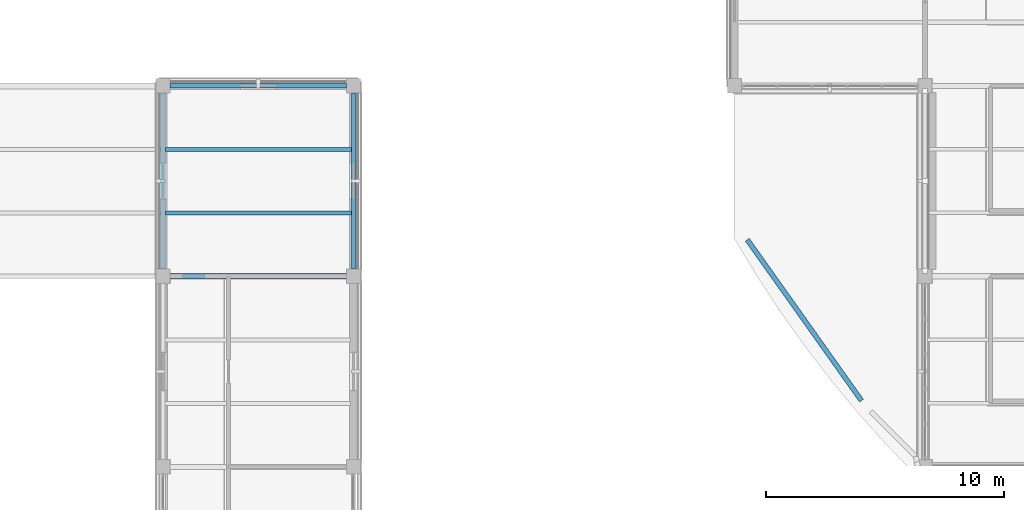
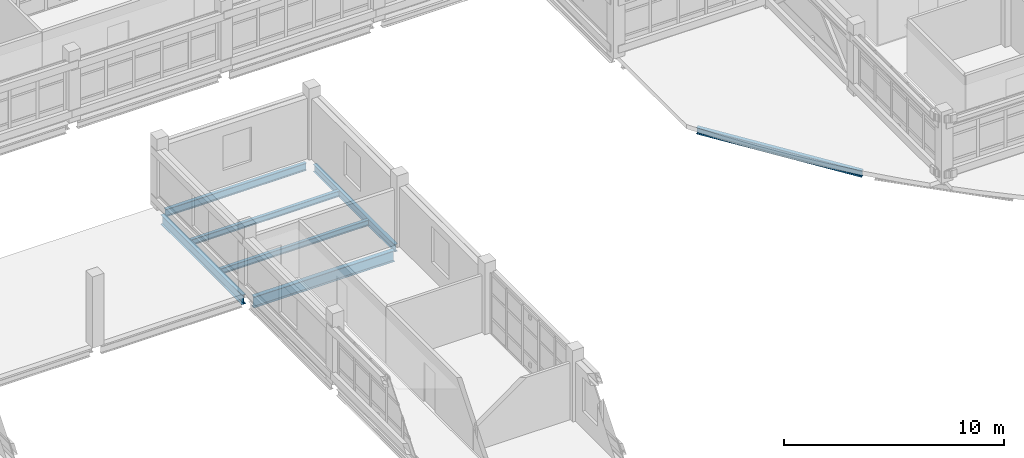
# One storey, part 17 of 126: 7 beams.
"""IFC4 building model written with IfcOpenShell, lengths in metres."""

import ifcopenshell
import ifcopenshell.guid

model = None  # the IFC model being written
_history = None  # IfcOwnerHistory: only IFC2X3 demands one
_inside = {}  # id of a spatial element -> (the spatial element, [elements in it])
_under = {}  # id of a project, library or spatial element -> (it, [spatial elements below it])
_declared = {}  # id of a project -> (the project, [libraries it declares])
_typed = {}  # id of a type object -> (the type object, [elements of that type])
_made_of = {}  # id of a material, layer set ... -> (it, [elements and type objects made of it])


def new_model(schema):
    """Start an empty IFC model of exactly this schema.

    Asked for "IFC4X3", IfcOpenShell would pick the latest addendum, in which some entities
    have other attributes; the version numbers below select the first issue.
    IFC2X3 requires an IfcOwnerHistory on every rooted entity: one is made here for all.
    """
    global model, _history
    if schema == "IFC4X3":
        model = ifcopenshell.file(schema_version=(4, 3, 0, 0))
    else:
        model = ifcopenshell.file(schema=schema)
    _inside.clear()
    _under.clear()
    _declared.clear()
    _typed.clear()
    _made_of.clear()
    _history = None
    if model.schema == "IFC2X3":
        org = make("IfcOrganization", Name="unknown")
        user = make(
            "IfcPersonAndOrganization",
            ThePerson=make("IfcPerson", FamilyName="unknown"),
            TheOrganization=org,
        )
        app = make(
            "IfcApplication",
            ApplicationDeveloper=org,
            Version="unknown",
            ApplicationFullName="unknown",
            ApplicationIdentifier="unknown",
        )
        _history = make(
            "IfcOwnerHistory",
            OwningUser=user,
            OwningApplication=app,
            ChangeAction="ADDED",
            CreationDate=0,
        )
    return model


def make(cls, **values):
    """One entity of the class cls with the attributes given. An attribute that is None is left unset."""
    return model.create_entity(
        cls, **{name: value for name, value in values.items() if value is not None}
    )


def rooted(cls, **values):
    """An entity with a GlobalId (a new one), such as an element, a storey or a relation."""
    return make(cls, GlobalId=ifcopenshell.guid.new(), OwnerHistory=_history, **values)


def si_unit(unit_type, name, prefix=None):
    """IfcSIUnit, for example si_unit("LENGTHUNIT", "METRE", prefix="MILLI")."""
    return make("IfcSIUnit", UnitType=unit_type, Prefix=prefix, Name=name)


def derived_unit(unit_type, elements):
    """IfcDerivedUnit: a product of units, each with its exponent."""
    return make(
        "IfcDerivedUnit",
        Elements=[
            make("IfcDerivedUnitElement", Unit=unit, Exponent=power)
            for unit, power in elements
        ],
        UnitType=unit_type,
    )


def assignment(units):
    """IfcUnitAssignment: the units of a project."""
    return None if units is None else make("IfcUnitAssignment", Units=units)


def point(xyz):
    """IfcCartesianPoint."""
    return None if xyz is None else make("IfcCartesianPoint", Coordinates=xyz)


def direction(xyz):
    """IfcDirection."""
    return None if xyz is None else make("IfcDirection", DirectionRatios=xyz)


def frame(location, z_axis=None, x_axis=None):
    """IfcAxis2Placement3D, a coordinate frame: its origin and axes. An axis left out is left unset."""
    return make(
        "IfcAxis2Placement3D",
        Location=point(location),
        Axis=direction(z_axis),
        RefDirection=direction(x_axis),
    )


def frame_2d(location, x_axis=None):
    """IfcAxis2Placement2D, a coordinate frame in the plane: its origin and x axis."""
    return make(
        "IfcAxis2Placement2D", Location=point(location), RefDirection=direction(x_axis)
    )


def origin():
    """The frame at (0, 0, 0) with its axes left unset."""
    return frame((0.0, 0.0, 0.0))


def origin_2d():
    """The frame at (0, 0) in the plane with its x axis left unset."""
    return frame_2d((0.0, 0.0))


def place(relative_to, where):
    """IfcLocalPlacement: puts the frame where relative to a parent placement (None: the world)."""
    return make(
        "IfcLocalPlacement", PlacementRelTo=relative_to, RelativePlacement=where
    )


def context(
    kind, dimensions, precision=None, world=None, true_north=None, identifier=None
):
    """IfcGeometricRepresentationContext, for example the 3D "Model" context."""
    return make(
        "IfcGeometricRepresentationContext",
        ContextIdentifier=identifier,
        ContextType=kind,
        CoordinateSpaceDimension=dimensions,
        Precision=precision,
        WorldCoordinateSystem=world,
        TrueNorth=true_north,
    )


def subcontext(parent, identifier, kind, view, scale=None):
    """IfcGeometricRepresentationSubContext, for example "Body" below "Model"."""
    return make(
        "IfcGeometricRepresentationSubContext",
        ContextIdentifier=identifier,
        ContextType=kind,
        ParentContext=parent,
        TargetScale=scale,
        TargetView=view,
    )


def project(units=None, contexts=None):
    """IfcProject with its units and contexts."""
    return rooted(
        "IfcProject",
        Name="project",
        RepresentationContexts=contexts,
        UnitsInContext=assignment(units),
    )


def spatial(cls, under=None, at=None, **own):
    """A site, building, storey or space (cls), placed at a placement, below another one or the project."""
    s = rooted(cls, ObjectPlacement=at, **own)
    if under is not None:
        _under.setdefault(under.id(), (under, []))[1].append(s)
    return s


def profile(cls, at=None, kind="AREA", **sizes):
    """A parametric profile (cls). Its sizes go by their IFC names, for example OverallWidth=200.0."""
    return make(cls, ProfileType=kind, Position=at, **sizes)


def i_section(**sizes):
    """IfcIShapeProfileDef."""
    return profile("IfcIShapeProfileDef", **sizes)


def extrude(swept, where, along, depth):
    """IfcExtrudedAreaSolid: the profile swept, set in the frame where, extruded along a direction by depth."""
    return make(
        "IfcExtrudedAreaSolid",
        SweptArea=swept,
        Position=where,
        ExtrudedDirection=direction(along),
        Depth=depth,
    )


def shape(context_of_items, identifier, shape_type, items):
    """IfcShapeRepresentation: the items that make up one representation, for example the "Body"."""
    return make(
        "IfcShapeRepresentation",
        ContextOfItems=context_of_items,
        RepresentationIdentifier=identifier,
        RepresentationType=shape_type,
        Items=items,
    )


def material(Name=None, Category=None):
    """IfcMaterial."""
    return make("IfcMaterial", Name=Name, Category=Category)


def material_profile(
    of_material, cross_section, Name=None, Category=None, Priority=None
):
    """IfcMaterialProfile: a cross section and its material."""
    return make(
        "IfcMaterialProfile",
        Name=Name,
        Material=of_material,
        Profile=cross_section,
        Priority=Priority,
        Category=Category,
    )


def profile_set(profiles, Name=None, composite=None):
    """IfcMaterialProfileSet."""
    return make(
        "IfcMaterialProfileSet",
        Name=Name,
        MaterialProfiles=profiles,
        CompositeProfile=composite,
    )


def made_of(thing, what):
    """Note that an element or type object is made of a material, layer set ...; save() writes the relation."""
    if what is not None:
        _made_of.setdefault(what.id(), (what, []))[1].append(thing)
    return thing


def type_object(cls, material=None, **own):
    """A type object (cls), such as IfcWallType, which elements share."""
    return made_of(rooted(cls, **own), material)


def element(
    cls,
    number,
    at=None,
    inside=None,
    cuts=None,
    type_object=None,
    material=None,
    context=None,
    identifier="Body",
    shape_type=None,
    held_by="IfcProductDefinitionShape",
    body=None,
    shapes=None,
    **own,
):
    """One element of the class cls, such as IfcWall. Its Tag is "e" and its number.

    at: its placement. inside: the storey or other place that contains it. cuts: it is an
    opening in that element (IfcRelVoidsElement). A single representation is given by context,
    identifier, shape_type and body (its items); several are given by shapes. held_by: the class
    of the entity that holds the representations. save() writes the other relations.
    """
    e = rooted(cls, Tag="e%d" % number, ObjectPlacement=at, **own)
    if body is not None:
        shapes = [shape(context, identifier, shape_type, body)]
    if shapes is not None:
        e.Representation = make(held_by, Representations=shapes)
    if inside is not None:
        _inside.setdefault(inside.id(), (inside, []))[1].append(e)
    if cuts is not None:
        rooted(
            "IfcRelVoidsElement", RelatingBuildingElement=cuts, RelatedOpeningElement=e
        )
    if type_object is not None:
        _typed.setdefault(type_object.id(), (type_object, []))[1].append(e)
    return made_of(e, material)


def aggregate(whole, parts):
    """IfcRelAggregates: a whole, such as a stair, and the parts it consists of."""
    return rooted("IfcRelAggregates", RelatingObject=whole, RelatedObjects=parts)


def save(model, path):
    """Write the relations noted so far, then the file.

    IfcRelAggregates (storeys below a building ...), IfcRelContainedInSpatialStructure (elements
    in a storey), IfcRelDefinesByType, IfcRelAssociatesMaterial and IfcRelDeclares: one each for
    every whole, place, type object, material and project.
    """
    for whole, parts in _under.values():
        aggregate(whole, parts)
    for where, things in _inside.values():
        rooted(
            "IfcRelContainedInSpatialStructure",
            RelatedElements=things,
            RelatingStructure=where,
        )
    for kind, things in _typed.values():
        rooted("IfcRelDefinesByType", RelatedObjects=things, RelatingType=kind)
    for what, things in _made_of.values():
        rooted("IfcRelAssociatesMaterial", RelatedObjects=things, RelatingMaterial=what)
    for by, libraries in _declared.values():
        rooted("IfcRelDeclares", RelatingContext=by, RelatedDefinitions=libraries)
    model.write(path)


model = new_model("IFC4")

# Units and contexts
model_context = context("Model", 3, precision=1e-05, world=origin(), true_north=direction((0.0, 1.0)))
body_context = subcontext(model_context, "Body", "Model", "MODEL_VIEW")
ifc_project = project(units=[si_unit("LENGTHUNIT", "METRE"), si_unit("AREAUNIT", "SQUARE_METRE"), si_unit("VOLUMEUNIT", "CUBIC_METRE"), si_unit("PLANEANGLEUNIT", "RADIAN"), si_unit("MASSUNIT", "GRAM", prefix="KILO"), derived_unit("THERMALTRANSMITTANCEUNIT", [(si_unit("MASSUNIT", "GRAM", prefix="KILO"), 1), (si_unit("TIMEUNIT", "SECOND"), -3), (si_unit("THERMODYNAMICTEMPERATUREUNIT", "KELVIN"), -1)])], contexts=[model_context])

# Site, building, storey
site_placement = place(None, origin())
site = spatial("IfcSite", under=ifc_project, at=site_placement, CompositionType="ELEMENT")
building_placement = place(site_placement, origin())
building = spatial("IfcBuilding", under=site, at=building_placement, Name="Veyamyaing Civic Hall", CompositionType="ELEMENT")
storey_placement = place(building_placement, frame((0.0, 0.0, 9.89990234375)))
storey = spatial("IfcBuildingStorey", under=building, at=storey_placement, Name="L02", CompositionType="ELEMENT", Elevation=9.89990234375)

# Beams
ifc_material = material(Name="Steel ASTM A992", Category="steel")
ifc_material_profile_1 = material_profile(ifc_material, i_section(OverallWidth=0.22802734375, OverallDepth=0.60791015625, WebThickness=0.01123046875, FlangeThickness=0.017333984375, FilletRadius=0.012939453125, at=origin_2d()), Name="W610X113")
ifc_profile_set_1 = profile_set([ifc_material_profile_1], Name="Steel ASTM A992")
beam_type_1 = type_object("IfcBeamType", Name="B-06", PredefinedType="BEAM", material=ifc_profile_set_1)
beam_1_placement = place(storey_placement, frame((32.300048828125, 32.0, -0.5888671875), z_axis=(1.0, 0.0, 0.0), x_axis=(0.0, 1.0, 0.0)))
element("IfcBeam", 1, at=beam_1_placement, inside=storey, type_object=beam_type_1, Name="Girder B-06 L02 Grid E 5-6", PredefinedType="BEAM", context=body_context, shape_type="SweptSolid", body=[
    extrude(i_section(OverallWidth=0.22802734375, OverallDepth=0.60791015625, WebThickness=0.01123046875, FlangeThickness=0.017333984375, FilletRadius=0.012939453125, at=origin_2d()), origin(), (0.0, 0.0, 1.0), 7.39990234375),
])
ifc_material_profile_2 = material_profile(ifc_material, i_section(OverallWidth=0.208984375, OverallDepth=0.532958984375, WebThickness=0.01025390625, FlangeThickness=0.015625, FilletRadius=0.011962890625, at=origin_2d()), Name="W530X92")
ifc_profile_set_2 = profile_set([ifc_material_profile_2], Name="Steel ASTM A992")
beam_type_2 = type_object("IfcBeamType", Name="B-07", PredefinedType="BEAM", material=ifc_profile_set_2)
beam_2_placement = place(storey_placement, frame((32.0, 32.300048828125, -0.551513671875), z_axis=(0.0, 1.0, 0.0), x_axis=(-1.0, 0.0, 0.0)))
element("IfcBeam", 2, at=beam_2_placement, inside=storey, type_object=beam_type_2, Name="Girder B-07 L02 Grid 5 E-F", PredefinedType="BEAM", context=body_context, shape_type="SweptSolid", body=[
    extrude(i_section(OverallWidth=0.208984375, OverallDepth=0.532958984375, WebThickness=0.01025390625, FlangeThickness=0.015625, FilletRadius=0.011962890625, at=origin_2d()), origin(), (0.0, 0.0, 1.0), 7.39990234375),
])
ifc_material_profile_3 = material_profile(ifc_material, i_section(OverallWidth=0.179931640625, OverallDepth=0.4130859375, WebThickness=0.009765625, FlangeThickness=0.01611328125, FilletRadius=0.010009765625, at=origin_2d()), Name="W410X74")
ifc_profile_set_3 = profile_set([ifc_material_profile_3], Name="Steel ASTM A992")
beam_type_3 = type_object("IfcBeamType", Name="B-10", PredefinedType="SPANDREL", material=ifc_profile_set_3)
for number, where, z_axis, x_axis, name in (
    (3, (32.300048828125, 40.0, -0.491455078125), (1.0, 0.0, 0.0), (0.0, 1.0, 0.0), "Girder B-10 L02 Grid F 5-6"),
    (4, (40.0, 32.300048828125, -0.491455078125), (0.0, 1.0, 0.0), (-1.0, 0.0, 0.0), "Girder B-10 L02 Grid 6 E-F"),
):
    element("IfcBeam", number, at=place(storey_placement, frame(where, z_axis=z_axis, x_axis=x_axis)), inside=storey, type_object=beam_type_3, Name=name, PredefinedType="SPANDREL", context=body_context, shape_type="SweptSolid", body=[
        extrude(i_section(OverallWidth=0.179931640625, OverallDepth=0.4130859375, WebThickness=0.009765625, FlangeThickness=0.01611328125, FilletRadius=0.010009765625, at=origin_2d()), origin(), (0.0, 0.0, 1.0), 7.39990234375),
    ])
ifc_material_profile_4 = material_profile(ifc_material, i_section(OverallWidth=0.2041015625, OverallDepth=0.35009765625, WebThickness=0.0078125, FlangeThickness=0.01513671875, FilletRadius=0.010009765625, at=origin_2d()), Name="W360X72")
ifc_profile_set_4 = profile_set([ifc_material_profile_4], Name="Steel ASTM A992")
beam_type_4 = type_object("IfcBeamType", Name="B-11", PredefinedType="SPANDREL", material=ifc_profile_set_4)
beam_3_placement = place(storey_placement, frame((56.537353515625, 33.53466796875, -0.4599609375), z_axis=(0.578662285773, -0.815567262109, 0.0), x_axis=(0.815567262109, 0.578662285773, 0.0)))
element("IfcBeam", 5, at=beam_3_placement, inside=storey, type_object=beam_type_4, Name="Curved corner spandrel B-11 L02 SW.1", PredefinedType="SPANDREL", context=body_context, shape_type="SweptSolid", body=[
    extrude(i_section(OverallWidth=0.2041015625, OverallDepth=0.35009765625, WebThickness=0.0078125, FlangeThickness=0.01513671875, FilletRadius=0.010009765625, at=origin_2d()), origin(), (0.0, 0.0, 1.0), 8.284423828125),
])
ifc_material_profile_5 = material_profile(ifc_material, i_section(OverallWidth=0.1669921875, OverallDepth=0.318115234375, WebThickness=0.007568359375, FlangeThickness=0.01318359375, FilletRadius=0.010009765625, at=origin_2d()), Name="W310X52")
ifc_profile_set_5 = profile_set([ifc_material_profile_5], Name="Steel ASTM A992")
beam_type_5 = type_object("IfcBeamType", Name="J-04", PredefinedType="JOIST", material=ifc_profile_set_5)
for number, where, z_axis, x_axis, name in (
    (6, (32.1025390625, 34.666748046875, -0.44384765625), (1.0, 0.0, 0.0), (0.0, 1.0, 0.0), "Composite floor joist J-04 L02 5.5.1"),
    (7, (32.1025390625, 37.333251953125, -0.44384765625), (1.0, 0.0, 0.0), (0.0, 1.0, 0.0), "Composite floor joist J-04 L02 5.5.2"),
):
    element("IfcBeam", number, at=place(storey_placement, frame(where, z_axis=z_axis, x_axis=x_axis)), inside=storey, type_object=beam_type_5, Name=name, PredefinedType="JOIST", context=body_context, shape_type="SweptSolid", body=[
        extrude(i_section(OverallWidth=0.1669921875, OverallDepth=0.318115234375, WebThickness=0.007568359375, FlangeThickness=0.01318359375, FilletRadius=0.010009765625, at=origin_2d()), origin(), (0.0, 0.0, 1.0), 7.8095703125),
    ])

save(model, "model.ifc")
